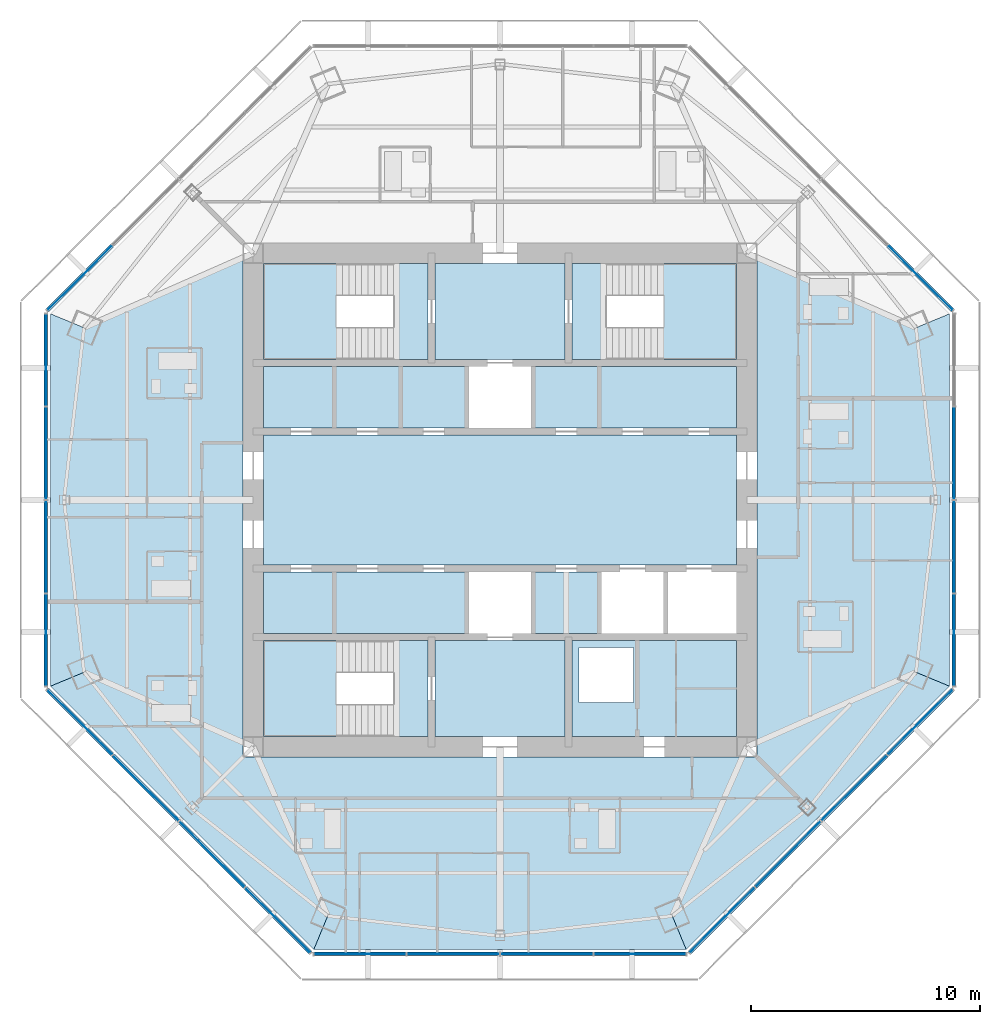
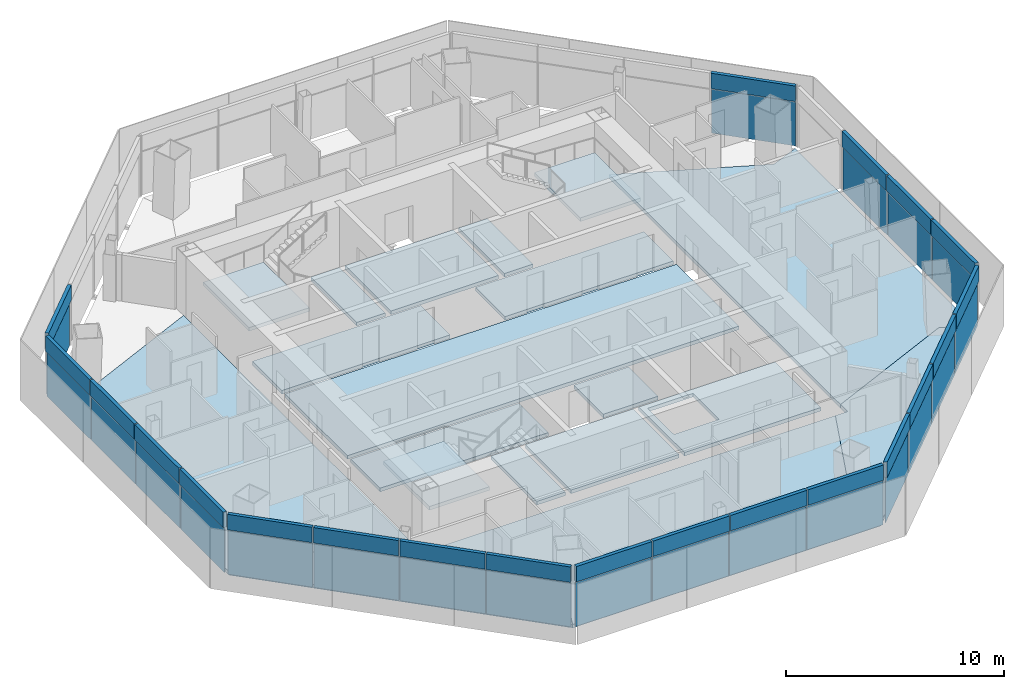
# One storey, part 7 of 14: 42 plates, 19 slabs, 10 elements without a shape of their own.
"""IFC4 building model written with IfcOpenShell, lengths in metres."""

from ifc_helpers import new_model, si_unit, direction, frame, origin, origin_2d, place, context, subcontext, project, spatial, polyline, rectangle, outline, extrude, source, transform, mapped, material, layer, layer_set, type_object, type_shapes, element, aggregate, save


model = new_model("IFC4")

# Units and contexts
model_context = context("Model", 3, precision=1e-05, world=origin(), true_north=direction((0.0, 1.0)))
body_context = subcontext(model_context, "Body", "Model", "MODEL_VIEW")
ifc_project = project(units=[si_unit("LENGTHUNIT", "METRE"), si_unit("AREAUNIT", "SQUARE_METRE"), si_unit("VOLUMEUNIT", "CUBIC_METRE"), si_unit("PLANEANGLEUNIT", "RADIAN"), si_unit("MASSUNIT", "GRAM", prefix="KILO")], contexts=[model_context])

# Site, building, storey
site_placement = place(None, origin())
site = spatial("IfcSite", under=ifc_project, at=site_placement, CompositionType="ELEMENT")
building_placement = place(site_placement, origin())
building = spatial("IfcBuilding", under=site, at=building_placement, Name="Mashrafa Tower", CompositionType="ELEMENT")
storey_placement = place(building_placement, frame((0.0, 0.0, 287.800048828125)))
storey = spatial("IfcBuildingStorey", under=building, at=storey_placement, Name="L70", CompositionType="ELEMENT", Elevation=287.800048828125)

# Slabs
ifc_material_1 = material(Name="Concrete C35/45", Category="concrete")
ifc_layer_1 = layer(ifc_material_1, 0.199951171875)
ifc_layer_set_1 = layer_set([ifc_layer_1], Name="Floor slab 200")
slab_type_1 = type_object("IfcSlabType", Name="Floor slab 200", PredefinedType="FLOOR", material=ifc_layer_set_1)
slab_1_placement = place(storey_placement, frame((0.0, 0.0, -0.199951171875)))
element("IfcSlab", 1, at=slab_1_placement, inside=storey, type_object=slab_type_1, Name="Floor slab L70 east bay", PredefinedType="FLOOR", context=body_context, shape_type="SweptSolid", body=[
    extrude(outline(polyline([(19.67333984375, 8.14892578125), (19.67333984375, -8.14892578125), (19.67333984375, -8.14892578125), (18.20068359375, -7.5390625), (11.25, -10.601806640625), (11.25, 10.601806640625), (18.20068359375, 7.5390625), (19.67333984375, 8.14892578125), (19.67333984375, 8.14892578125)])), origin(), (0.0, 0.0, 1.0), 0.199951171875),
])
slab_2_placement = place(storey_placement, frame((0.0, 0.0, -0.199951171875)))
element("IfcSlab", 2, at=slab_2_placement, inside=storey, type_object=slab_type_1, Name="Floor slab L70 west bay", PredefinedType="FLOOR", context=body_context, shape_type="SweptSolid", body=[
    extrude(outline(polyline([(-19.67333984375, -8.14892578125), (-19.67333984375, 8.14892578125), (-19.67333984375, 8.14892578125), (-18.20068359375, 7.5390625), (-11.25, 10.601806640625), (-11.25, -10.601806640625), (-18.20068359375, -7.5390625), (-19.67333984375, -8.14892578125), (-19.67333984375, -8.14892578125)])), origin(), (0.0, 0.0, 1.0), 0.199951171875),
])
slab_3_placement = place(storey_placement, frame((0.0, 0.0, -0.199951171875)))
element("IfcSlab", 3, at=slab_3_placement, inside=storey, type_object=slab_type_1, Name="Floor slab L70 south-west bay", PredefinedType="FLOOR", context=body_context, shape_type="SweptSolid", body=[
    extrude(outline(polyline([(-19.67333984375, -8.14892578125), (-18.20068359375, -7.5390625), (-11.25, -10.601806640625), (-11.25, -11.25), (-10.601806640625, -11.25), (-7.5390625, -18.20068359375), (-8.14892578125, -19.67333984375), (-19.67333984375, -8.14892578125)])), origin(), (0.0, 0.0, 1.0), 0.199951171875),
])
slab_4_placement = place(storey_placement, frame((0.0, 0.0, -0.199951171875)))
element("IfcSlab", 4, at=slab_4_placement, inside=storey, type_object=slab_type_1, Name="Floor slab L70 south bay", PredefinedType="FLOOR", context=body_context, shape_type="SweptSolid", body=[
    extrude(outline(polyline([(-8.14892578125, -19.67333984375), (-8.14892578125, -19.67333984375), (-7.5390625, -18.20068359375), (-10.601806640625, -11.25), (10.601806640625, -11.25), (7.5390625, -18.20068359375), (8.14892578125, -19.67333984375), (8.14892578125, -19.67333984375), (-8.14892578125, -19.67333984375)])), origin(), (0.0, 0.0, 1.0), 0.199951171875),
])
slab_5_placement = place(storey_placement, frame((0.0, 0.0, -0.199951171875)))
element("IfcSlab", 5, at=slab_5_placement, inside=storey, type_object=slab_type_1, Name="Floor slab L70 south-east bay", PredefinedType="FLOOR", context=body_context, shape_type="SweptSolid", body=[
    extrude(outline(polyline([(8.14892578125, -19.67333984375), (7.5390625, -18.20068359375), (10.601806640625, -11.25), (11.25, -11.25), (11.25, -10.601806640625), (18.20068359375, -7.5390625), (19.67333984375, -8.14892578125), (8.14892578125, -19.67333984375)])), origin(), (0.0, 0.0, 1.0), 0.199951171875),
])
slab_6_placement = place(storey_placement, frame((0.0, 0.0, -0.199951171875)))
element("IfcSlab", 6, at=slab_6_placement, inside=storey, type_object=slab_type_1, Name="Core floor lift hall L70", PredefinedType="FLOOR", context=body_context, shape_type="SweptSolid", body=[
    extrude(outline(polyline([(-10.35009765625, 2.85009765625), (10.35009765625, 2.85009765625), (10.35009765625, -2.85009765625), (-10.35009765625, -2.85009765625), (-10.35009765625, 2.85009765625)])), origin(), (0.0, 0.0, 1.0), 0.199951171875),
])
slab_7_placement = place(storey_placement, frame((0.0, 0.0, -0.199951171875)))
element("IfcSlab", 7, at=slab_7_placement, inside=storey, type_object=slab_type_1, Name="Core floor riser and electrical band L70", PredefinedType="FLOOR", context=body_context, shape_type="SweptSolid", body=[
    extrude(outline(polyline([(10.35009765625, -6.14990234375), (10.35009765625, -10.35009765625), (3.14990234375, -10.35009765625), (3.14990234375, -6.14990234375), (10.35009765625, -6.14990234375)]), holes=[polyline([(3.449951171875, -8.85009765625), (5.85009765625, -8.85009765625), (5.85009765625, -6.449951171875), (3.449951171875, -6.449951171875), (3.449951171875, -8.85009765625)])]), origin(), (0.0, 0.0, 1.0), 0.199951171875),
])
slab_8_placement = place(storey_placement, frame((0.0, 0.0, -0.199951171875)))
element("IfcSlab", 8, at=slab_8_placement, inside=storey, type_object=slab_type_1, Name="Core floor lift cell L70", PredefinedType="FLOOR", context=body_context, shape_type="SweptSolid", body=[
    extrude(outline(polyline([(10.35009765625, 5.85009765625), (10.35009765625, 3.14990234375), (1.449951171875, 3.14990234375), (1.449951171875, 5.85009765625), (10.35009765625, 5.85009765625)])), origin(), (0.0, 0.0, 1.0), 0.199951171875),
])
slab_9_placement = place(storey_placement, frame((0.0, 0.0, -0.199951171875)))
element("IfcSlab", 9, at=slab_9_placement, inside=storey, type_object=slab_type_1, Name="Core floor lift cell L70", PredefinedType="FLOOR", context=body_context, shape_type="SweptSolid", body=[
    extrude(outline(polyline([(-1.449951171875, 3.14990234375), (-10.35009765625, 3.14990234375), (-10.35009765625, 5.85009765625), (-1.449951171875, 5.85009765625), (-1.449951171875, 3.14990234375)])), origin(), (0.0, 0.0, 1.0), 0.199951171875),
])
slab_10_placement = place(storey_placement, frame((0.0, 0.0, -0.199951171875)))
element("IfcSlab", 10, at=slab_10_placement, inside=storey, type_object=slab_type_1, Name="Core floor lift cell L70", PredefinedType="FLOOR", context=body_context, shape_type="SweptSolid", body=[
    extrude(outline(polyline([(-1.449951171875, -3.14990234375), (-1.449951171875, -5.85009765625), (-10.35009765625, -5.85009765625), (-10.35009765625, -3.14990234375), (-1.449951171875, -3.14990234375)])), origin(), (0.0, 0.0, 1.0), 0.199951171875),
])
slab_11_placement = place(storey_placement, frame((0.0, 0.0, -0.199951171875)))
element("IfcSlab", 11, at=slab_11_placement, inside=storey, type_object=slab_type_1, Name="Core floor fire-fighting lobby south L70", PredefinedType="FLOOR", context=body_context, shape_type="SweptSolid", body=[
    extrude(outline(polyline([(2.85009765625, -6.14990234375), (2.85009765625, -10.35009765625), (-2.85009765625, -10.35009765625), (-2.85009765625, -6.14990234375), (2.85009765625, -6.14990234375)])), origin(), (0.0, 0.0, 1.0), 0.199951171875),
])
slab_12_placement = place(storey_placement, frame((0.0, 0.0, -0.199951171875)))
element("IfcSlab", 12, at=slab_12_placement, inside=storey, type_object=slab_type_1, Name="Core floor fire-fighting lobby north L70", PredefinedType="FLOOR", context=body_context, shape_type="SweptSolid", body=[
    extrude(outline(polyline([(-2.85009765625, 10.35009765625), (2.85009765625, 10.35009765625), (2.85009765625, 6.14990234375), (-2.85009765625, 6.14990234375), (-2.85009765625, 10.35009765625)])), origin(), (0.0, 0.0, 1.0), 0.199951171875),
])
slab_13_placement = place(storey_placement, frame((0.0, 0.0, -0.199951171875)))
element("IfcSlab", 13, at=slab_13_placement, inside=storey, type_object=slab_type_1, Name="Core floor lift cell L70", PredefinedType="FLOOR", context=body_context, shape_type="SweptSolid", body=[
    extrude(outline(polyline([(4.35009765625, -3.14990234375), (4.35009765625, -5.85009765625), (1.449951171875, -5.85009765625), (1.449951171875, -3.14990234375), (4.35009765625, -3.14990234375)])), origin(), (0.0, 0.0, 1.0), 0.199951171875),
])

# Stair, slabs
ifc_material_2 = material(Name="Exit stair 1400")
stair_type = type_object("IfcStairType", Name="Exit stair 1400", PredefinedType="HALF_TURN_STAIR", material=ifc_material_2)
stair_1_placement = place(storey_placement, origin())
stair_1 = element("IfcStair", 14, at=stair_1_placement, inside=storey, type_object=stair_type, Name="Stair S1 L70", PredefinedType="HALF_TURN_STAIR")
ifc_material_3 = material(Name="Concrete C32/40", Category="concrete")
ifc_layer_2 = layer(ifc_material_3, 0.199951171875)
ifc_layer_set_2 = layer_set([ifc_layer_2], Name="Stair landing 200")
slab_type_2 = type_object("IfcSlabType", Name="Stair landing 200", PredefinedType="LANDING", material=ifc_layer_set_2)
slab_14_placement = place(storey_placement, frame((0.0, 0.0, -0.199951171875)))
slab_14 = element("IfcSlab", 15, at=slab_14_placement, type_object=slab_type_2, Name="S1 landing 1", PredefinedType="LANDING", context=body_context, shape_type="SweptSolid", body=[
    extrude(outline(polyline([(-4.659912109375, 6.14990234375), (-3.14990234375, 6.14990234375), (-3.14990234375, 10.35009765625), (-4.659912109375, 10.35009765625), (-4.659912109375, 6.14990234375)])), origin(), (0.0, 0.0, 1.0), 0.199951171875),
])
slab_15_placement = place(storey_placement, frame((0.0, 0.0, 1.5)))
slab_15 = element("IfcSlab", 16, at=slab_15_placement, type_object=slab_type_2, Name="S1 landing 2", PredefinedType="LANDING", context=body_context, shape_type="SweptSolid", body=[
    extrude(outline(polyline([(-10.35009765625, 6.14990234375), (-7.159912109375, 6.14990234375), (-7.159912109375, 10.35009765625), (-10.35009765625, 10.35009765625), (-10.35009765625, 6.14990234375)])), origin(), (0.0, 0.0, 1.0), 0.199951171875),
])
aggregate(stair_1, [slab_14, slab_15])

stair_2_placement = place(storey_placement, origin())
stair_2 = element("IfcStair", 17, at=stair_2_placement, inside=storey, type_object=stair_type, Name="Stair S2 L70", PredefinedType="HALF_TURN_STAIR")
slab_16_placement = place(storey_placement, frame((0.0, 0.0, -0.199951171875)))
slab_16 = element("IfcSlab", 18, at=slab_16_placement, type_object=slab_type_2, Name="S2 landing 1", PredefinedType="LANDING", context=body_context, shape_type="SweptSolid", body=[
    extrude(outline(polyline([(3.14990234375, 6.14990234375), (4.659912109375, 6.14990234375), (4.659912109375, 10.35009765625), (3.14990234375, 10.35009765625), (3.14990234375, 6.14990234375)])), origin(), (0.0, 0.0, 1.0), 0.199951171875),
])
slab_17_placement = place(storey_placement, frame((0.0, 0.0, 1.5)))
slab_17 = element("IfcSlab", 19, at=slab_17_placement, type_object=slab_type_2, Name="S2 landing 2", PredefinedType="LANDING", context=body_context, shape_type="SweptSolid", body=[
    extrude(outline(polyline([(7.159912109375, 6.14990234375), (10.35009765625, 6.14990234375), (10.35009765625, 10.35009765625), (7.159912109375, 10.35009765625), (7.159912109375, 6.14990234375)])), origin(), (0.0, 0.0, 1.0), 0.199951171875),
])
aggregate(stair_2, [slab_16, slab_17])

stair_3_placement = place(storey_placement, origin())
stair_3 = element("IfcStair", 20, at=stair_3_placement, inside=storey, type_object=stair_type, Name="Stair S3 L70", PredefinedType="HALF_TURN_STAIR")
slab_18_placement = place(storey_placement, frame((0.0, 0.0, -0.199951171875)))
slab_18 = element("IfcSlab", 21, at=slab_18_placement, type_object=slab_type_2, Name="S3 landing 1", PredefinedType="LANDING", context=body_context, shape_type="SweptSolid", body=[
    extrude(outline(polyline([(-4.659912109375, -10.35009765625), (-3.14990234375, -10.35009765625), (-3.14990234375, -6.14990234375), (-4.659912109375, -6.14990234375), (-4.659912109375, -10.35009765625)])), origin(), (0.0, 0.0, 1.0), 0.199951171875),
])
slab_19_placement = place(storey_placement, frame((0.0, 0.0, 1.5)))
slab_19 = element("IfcSlab", 22, at=slab_19_placement, type_object=slab_type_2, Name="S3 landing 2", PredefinedType="LANDING", context=body_context, shape_type="SweptSolid", body=[
    extrude(outline(polyline([(-10.35009765625, -10.35009765625), (-7.159912109375, -10.35009765625), (-7.159912109375, -6.14990234375), (-10.35009765625, -6.14990234375), (-10.35009765625, -10.35009765625)])), origin(), (0.0, 0.0, 1.0), 0.199951171875),
])
aggregate(stair_3, [slab_18, slab_19])

# Curtain wall, plate
ifc_material_4 = material(Name="Unitised aluminium curtain wall", Category="aluminium")
curtain_wall_type = type_object("IfcCurtainWallType", Name="Apartment curtain wall, zone 4 CW-D 160 deep", PredefinedType="NOTDEFINED", material=ifc_material_4)
curtain_wall_1_placement = place(storey_placement, origin())
curtain_wall_1 = element("IfcCurtainWall", 23, at=curtain_wall_1_placement, inside=storey, type_object=curtain_wall_type, Name="Apartment curtain wall, zone 4 L70 east", PredefinedType="NOTDEFINED")
ifc_material_5 = material(Name="Insulated double glazing, acoustic", Category="glass")
ifc_layer_3 = layer(ifc_material_5, 0.028076171875)
ifc_layer_set_3 = layer_set([ifc_layer_3], Name="Vision panel CW-D 28")
plate_type_1 = type_object("IfcPlateType", Name="Vision panel CW-D 28", PredefinedType="CURTAIN_PANEL", material=ifc_layer_set_3)
shared_shape_1 = source(origin(), body_context, "Body", "SweptSolid", [
    extrude(rectangle(XDim=4.00439453125, YDim=0.028076171875, at=origin_2d()), origin(), (0.0, 0.0, 1.0), 2.46240234375),
])
plate_1_placement = place(storey_placement, frame((19.873291015625, -6.12646484375, 0.0), z_axis=(0.0, 0.0, 1.0), x_axis=(0.0, 1.0, 0.0)))
plate_1 = element("IfcPlate", 24, at=plate_1_placement, type_object=plate_type_1, Name="CW-D vision panel 1", PredefinedType="CURTAIN_PANEL", context=body_context, shape_type="MappedRepresentation", body=[
    mapped(shared_shape_1, transform((0.0, 0.0, 0.0))),
])

curtain_wall_2_placement = place(storey_placement, origin())
curtain_wall_2 = element("IfcCurtainWall", 25, at=curtain_wall_2_placement, inside=storey, type_object=curtain_wall_type, Name="Apartment curtain wall, zone 4 L70 north-east", PredefinedType="NOTDEFINED")
plate_2_placement = place(storey_placement, frame((18.384521484375, 9.720458984375, 0.0), z_axis=(0.0, 0.0, 1.0), x_axis=(-0.707106781187, 0.707106781187, 0.0)))
plate_2 = element("IfcPlate", 26, at=plate_2_placement, type_object=plate_type_1, Name="CW-D vision panel 1", PredefinedType="CURTAIN_PANEL", context=body_context, shape_type="MappedRepresentation", body=[
    mapped(shared_shape_1, transform((0.0, 0.0, 0.0))),
])

curtain_wall_3_placement = place(storey_placement, origin())
curtain_wall_3 = element("IfcCurtainWall", 27, at=curtain_wall_3_placement, inside=storey, type_object=curtain_wall_type, Name="Apartment curtain wall, zone 4 L70 north-west", PredefinedType="NOTDEFINED")
plate_3_placement = place(storey_placement, frame((-18.384521484375, 9.720458984375, 0.0), z_axis=(0.0, 0.0, 1.0), x_axis=(-0.707106781187, -0.707106781187, 0.0)))
plate_3 = element("IfcPlate", 28, at=plate_3_placement, type_object=plate_type_1, Name="CW-D vision panel 4", PredefinedType="CURTAIN_PANEL", context=body_context, shape_type="MappedRepresentation", body=[
    mapped(shared_shape_1, transform((0.0, 0.0, 0.0))),
])

# Curtain wall, plates
curtain_wall_4_placement = place(storey_placement, origin())
curtain_wall_4 = element("IfcCurtainWall", 29, at=curtain_wall_4_placement, inside=storey, type_object=curtain_wall_type, Name="Apartment curtain wall, zone 4 L70 west", PredefinedType="NOTDEFINED")
plate_4_placement = place(storey_placement, frame((-19.873291015625, 6.12646484375, 0.0), z_axis=(0.0, 0.0, 1.0), x_axis=(0.0, -1.0, 0.0)))
plate_4 = element("IfcPlate", 30, at=plate_4_placement, type_object=plate_type_1, Name="CW-D vision panel 1", PredefinedType="CURTAIN_PANEL", context=body_context, shape_type="MappedRepresentation", body=[
    mapped(shared_shape_1, transform((0.0, 0.0, 0.0))),
])
plate_5_placement = place(storey_placement, frame((-19.873291015625, -6.12646484375, 0.0), z_axis=(0.0, 0.0, 1.0), x_axis=(0.0, -1.0, 0.0)))
plate_5 = element("IfcPlate", 31, at=plate_5_placement, type_object=plate_type_1, Name="CW-D vision panel 4", PredefinedType="CURTAIN_PANEL", context=body_context, shape_type="MappedRepresentation", body=[
    mapped(shared_shape_1, transform((0.0, 0.0, 0.0))),
])

curtain_wall_5_placement = place(storey_placement, origin())
curtain_wall_5 = element("IfcCurtainWall", 32, at=curtain_wall_5_placement, inside=storey, type_object=curtain_wall_type, Name="Apartment curtain wall, zone 4 L70 south-west", PredefinedType="NOTDEFINED")
plate_6_placement = place(storey_placement, frame((-18.384521484375, -9.720458984375, 0.0), z_axis=(0.0, 0.0, 1.0), x_axis=(0.707106781187, -0.707106781187, 0.0)))
plate_6 = element("IfcPlate", 33, at=plate_6_placement, type_object=plate_type_1, Name="CW-D vision panel 1", PredefinedType="CURTAIN_PANEL", context=body_context, shape_type="MappedRepresentation", body=[
    mapped(shared_shape_1, transform((0.0, 0.0, 0.0))),
])
plate_7_placement = place(storey_placement, frame((-9.720458984375, -18.384521484375, 0.0), z_axis=(0.0, 0.0, 1.0), x_axis=(0.707106781187, -0.707106781187, 0.0)))
plate_7 = element("IfcPlate", 34, at=plate_7_placement, type_object=plate_type_1, Name="CW-D vision panel 4", PredefinedType="CURTAIN_PANEL", context=body_context, shape_type="MappedRepresentation", body=[
    mapped(shared_shape_1, transform((0.0, 0.0, 0.0))),
])

curtain_wall_6_placement = place(storey_placement, origin())
curtain_wall_6 = element("IfcCurtainWall", 35, at=curtain_wall_6_placement, inside=storey, type_object=curtain_wall_type, Name="Apartment curtain wall, zone 4 L70 south", PredefinedType="NOTDEFINED")
plate_8_placement = place(storey_placement, frame((-6.12646484375, -19.873291015625, 0.0), z_axis=(0.0, 0.0, 1.0), x_axis=(1.0, 0.0, 0.0)))
plate_8 = element("IfcPlate", 36, at=plate_8_placement, type_object=plate_type_1, Name="CW-D vision panel 1", PredefinedType="CURTAIN_PANEL", context=body_context, shape_type="MappedRepresentation", body=[
    mapped(shared_shape_1, transform((0.0, 0.0, 0.0))),
])
plate_9_placement = place(storey_placement, frame((6.12646484375, -19.873291015625, 0.0), z_axis=(0.0, 0.0, 1.0), x_axis=(1.0, 0.0, 0.0)))
plate_9 = element("IfcPlate", 37, at=plate_9_placement, type_object=plate_type_1, Name="CW-D vision panel 4", PredefinedType="CURTAIN_PANEL", context=body_context, shape_type="MappedRepresentation", body=[
    mapped(shared_shape_1, transform((0.0, 0.0, 0.0))),
])

curtain_wall_7_placement = place(storey_placement, origin())
curtain_wall_7 = element("IfcCurtainWall", 38, at=curtain_wall_7_placement, inside=storey, type_object=curtain_wall_type, Name="Apartment curtain wall, zone 4 L70 south-east", PredefinedType="NOTDEFINED")
plate_10_placement = place(storey_placement, frame((9.720458984375, -18.384521484375, 0.0), z_axis=(0.0, 0.0, 1.0), x_axis=(0.707106781187, 0.707106781187, 0.0)))
plate_10 = element("IfcPlate", 39, at=plate_10_placement, type_object=plate_type_1, Name="CW-D vision panel 1", PredefinedType="CURTAIN_PANEL", context=body_context, shape_type="MappedRepresentation", body=[
    mapped(shared_shape_1, transform((0.0, 0.0, 0.0))),
])
plate_11_placement = place(storey_placement, frame((18.384521484375, -9.720458984375, 0.0), z_axis=(0.0, 0.0, 1.0), x_axis=(0.707106781187, 0.707106781187, 0.0)))
plate_11 = element("IfcPlate", 40, at=plate_11_placement, type_object=plate_type_1, Name="CW-D vision panel 4", PredefinedType="CURTAIN_PANEL", context=body_context, shape_type="MappedRepresentation", body=[
    mapped(shared_shape_1, transform((0.0, 0.0, 0.0))),
])

# Plate
ifc_material_6 = material(Name="Insulated bronze aluminium spandrel panel", Category="aluminium")
ifc_layer_4 = layer(ifc_material_6, 0.179931640625)
ifc_layer_set_4 = layer_set([ifc_layer_4], Name="Spandrel panel CW-D 180")
plate_type_2 = type_object("IfcPlateType", Name="Spandrel panel CW-D 180", PredefinedType="CURTAIN_PANEL", material=ifc_layer_set_4)
shared_shape_2 = source(origin(), body_context, "Body", "SweptSolid", [
    extrude(rectangle(XDim=4.00439453125, YDim=0.179931640625, at=origin_2d()), origin(), (0.0, 0.0, 1.0), 0.862548828125),
])
plate_12_placement = place(storey_placement, frame((19.873291015625, -6.12646484375, 2.53759765625), z_axis=(0.0, 0.0, 1.0), x_axis=(0.0, 1.0, 0.0)))
plate_12 = element("IfcPlate", 41, at=plate_12_placement, type_object=plate_type_2, Name="CW-D spandrel panel 1", PredefinedType="CURTAIN_PANEL", context=body_context, shape_type="MappedRepresentation", body=[
    mapped(shared_shape_2, transform((0.0, 0.0, 0.0))),
])

plate_13_placement = place(storey_placement, frame((18.384521484375, 9.720458984375, 2.53759765625), z_axis=(0.0, 0.0, 1.0), x_axis=(-0.707106781187, 0.707106781187, 0.0)))
plate_13 = element("IfcPlate", 42, at=plate_13_placement, type_object=plate_type_2, Name="CW-D spandrel panel 1", PredefinedType="CURTAIN_PANEL", context=body_context, shape_type="MappedRepresentation", body=[
    mapped(shared_shape_2, transform((0.0, 0.0, 0.0))),
])

aggregate(curtain_wall_2, [plate_2, plate_13])

plate_14_placement = place(storey_placement, frame((-18.384521484375, 9.720458984375, 2.53759765625), z_axis=(0.0, 0.0, 1.0), x_axis=(-0.707106781187, -0.707106781187, 0.0)))
plate_14 = element("IfcPlate", 43, at=plate_14_placement, type_object=plate_type_2, Name="CW-D spandrel panel 4", PredefinedType="CURTAIN_PANEL", context=body_context, shape_type="MappedRepresentation", body=[
    mapped(shared_shape_2, transform((0.0, 0.0, 0.0))),
])

aggregate(curtain_wall_3, [plate_3, plate_14])

plate_15_placement = place(storey_placement, frame((-19.873291015625, 6.12646484375, 2.53759765625), z_axis=(0.0, 0.0, 1.0), x_axis=(0.0, -1.0, 0.0)))
plate_15 = element("IfcPlate", 44, at=plate_15_placement, type_object=plate_type_2, Name="CW-D spandrel panel 1", PredefinedType="CURTAIN_PANEL", context=body_context, shape_type="MappedRepresentation", body=[
    mapped(shared_shape_2, transform((0.0, 0.0, 0.0))),
])

plate_16_placement = place(storey_placement, frame((-19.873291015625, -6.12646484375, 2.53759765625), z_axis=(0.0, 0.0, 1.0), x_axis=(0.0, -1.0, 0.0)))
plate_16 = element("IfcPlate", 45, at=plate_16_placement, type_object=plate_type_2, Name="CW-D spandrel panel 4", PredefinedType="CURTAIN_PANEL", context=body_context, shape_type="MappedRepresentation", body=[
    mapped(shared_shape_2, transform((0.0, 0.0, 0.0))),
])

plate_17_placement = place(storey_placement, frame((-18.384521484375, -9.720458984375, 2.53759765625), z_axis=(0.0, 0.0, 1.0), x_axis=(0.707106781187, -0.707106781187, 0.0)))
plate_17 = element("IfcPlate", 46, at=plate_17_placement, type_object=plate_type_2, Name="CW-D spandrel panel 1", PredefinedType="CURTAIN_PANEL", context=body_context, shape_type="MappedRepresentation", body=[
    mapped(shared_shape_2, transform((0.0, 0.0, 0.0))),
])

plate_18_placement = place(storey_placement, frame((-9.720458984375, -18.384521484375, 2.53759765625), z_axis=(0.0, 0.0, 1.0), x_axis=(0.707106781187, -0.707106781187, 0.0)))
plate_18 = element("IfcPlate", 47, at=plate_18_placement, type_object=plate_type_2, Name="CW-D spandrel panel 4", PredefinedType="CURTAIN_PANEL", context=body_context, shape_type="MappedRepresentation", body=[
    mapped(shared_shape_2, transform((0.0, 0.0, 0.0))),
])

plate_19_placement = place(storey_placement, frame((-6.12646484375, -19.873291015625, 2.53759765625), z_axis=(0.0, 0.0, 1.0), x_axis=(1.0, 0.0, 0.0)))
plate_19 = element("IfcPlate", 48, at=plate_19_placement, type_object=plate_type_2, Name="CW-D spandrel panel 1", PredefinedType="CURTAIN_PANEL", context=body_context, shape_type="MappedRepresentation", body=[
    mapped(shared_shape_2, transform((0.0, 0.0, 0.0))),
])

plate_20_placement = place(storey_placement, frame((6.12646484375, -19.873291015625, 2.53759765625), z_axis=(0.0, 0.0, 1.0), x_axis=(1.0, 0.0, 0.0)))
plate_20 = element("IfcPlate", 49, at=plate_20_placement, type_object=plate_type_2, Name="CW-D spandrel panel 4", PredefinedType="CURTAIN_PANEL", context=body_context, shape_type="MappedRepresentation", body=[
    mapped(shared_shape_2, transform((0.0, 0.0, 0.0))),
])

plate_21_placement = place(storey_placement, frame((9.720458984375, -18.384521484375, 2.53759765625), z_axis=(0.0, 0.0, 1.0), x_axis=(0.707106781187, 0.707106781187, 0.0)))
plate_21 = element("IfcPlate", 50, at=plate_21_placement, type_object=plate_type_2, Name="CW-D spandrel panel 1", PredefinedType="CURTAIN_PANEL", context=body_context, shape_type="MappedRepresentation", body=[
    mapped(shared_shape_2, transform((0.0, 0.0, 0.0))),
])

plate_22_placement = place(storey_placement, frame((18.384521484375, -9.720458984375, 2.53759765625), z_axis=(0.0, 0.0, 1.0), x_axis=(0.707106781187, 0.707106781187, 0.0)))
plate_22 = element("IfcPlate", 51, at=plate_22_placement, type_object=plate_type_2, Name="CW-D spandrel panel 4", PredefinedType="CURTAIN_PANEL", context=body_context, shape_type="MappedRepresentation", body=[
    mapped(shared_shape_2, transform((0.0, 0.0, 0.0))),
])

shared_shape_3 = source(origin(), body_context, "Body", "SweptSolid", [
    extrude(rectangle(XDim=4.034423828125, YDim=0.028076171875, at=origin_2d()), origin(), (0.0, 0.0, 1.0), 2.46240234375),
])
type_shapes(plate_type_1, [shared_shape_1, shared_shape_3])
plate_23_placement = place(storey_placement, frame((19.873291015625, -2.047119140625, 0.0), z_axis=(0.0, 0.0, 1.0), x_axis=(0.0, 1.0, 0.0)))
plate_23 = element("IfcPlate", 52, at=plate_23_placement, type_object=plate_type_1, Name="CW-D vision panel 2", PredefinedType="CURTAIN_PANEL", context=body_context, shape_type="MappedRepresentation", body=[
    mapped(shared_shape_3, transform((0.0, 0.0, 0.0))),
])

plate_24_placement = place(storey_placement, frame((19.873291015625, 2.047119140625, 0.0), z_axis=(0.0, 0.0, 1.0), x_axis=(0.0, 1.0, 0.0)))
plate_24 = element("IfcPlate", 53, at=plate_24_placement, type_object=plate_type_1, Name="CW-D vision panel 3", PredefinedType="CURTAIN_PANEL", context=body_context, shape_type="MappedRepresentation", body=[
    mapped(shared_shape_3, transform((0.0, 0.0, 0.0))),
])

plate_25_placement = place(storey_placement, frame((-19.873291015625, 2.047119140625, 0.0), z_axis=(0.0, 0.0, 1.0), x_axis=(0.0, -1.0, 0.0)))
plate_25 = element("IfcPlate", 54, at=plate_25_placement, type_object=plate_type_1, Name="CW-D vision panel 2", PredefinedType="CURTAIN_PANEL", context=body_context, shape_type="MappedRepresentation", body=[
    mapped(shared_shape_3, transform((0.0, 0.0, 0.0))),
])

plate_26_placement = place(storey_placement, frame((-19.873291015625, -2.047119140625, 0.0), z_axis=(0.0, 0.0, 1.0), x_axis=(0.0, -1.0, 0.0)))
plate_26 = element("IfcPlate", 55, at=plate_26_placement, type_object=plate_type_1, Name="CW-D vision panel 3", PredefinedType="CURTAIN_PANEL", context=body_context, shape_type="MappedRepresentation", body=[
    mapped(shared_shape_3, transform((0.0, 0.0, 0.0))),
])

plate_27_placement = place(storey_placement, frame((-15.5, -12.60498046875, 0.0), z_axis=(0.0, 0.0, 1.0), x_axis=(0.707106781187, -0.707106781187, 0.0)))
plate_27 = element("IfcPlate", 56, at=plate_27_placement, type_object=plate_type_1, Name="CW-D vision panel 2", PredefinedType="CURTAIN_PANEL", context=body_context, shape_type="MappedRepresentation", body=[
    mapped(shared_shape_3, transform((0.0, 0.0, 0.0))),
])

plate_28_placement = place(storey_placement, frame((-12.60498046875, -15.5, 0.0), z_axis=(0.0, 0.0, 1.0), x_axis=(0.707106781187, -0.707106781187, 0.0)))
plate_28 = element("IfcPlate", 57, at=plate_28_placement, type_object=plate_type_1, Name="CW-D vision panel 3", PredefinedType="CURTAIN_PANEL", context=body_context, shape_type="MappedRepresentation", body=[
    mapped(shared_shape_3, transform((0.0, 0.0, 0.0))),
])

plate_29_placement = place(storey_placement, frame((-2.047119140625, -19.873291015625, 0.0), z_axis=(0.0, 0.0, 1.0), x_axis=(1.0, 0.0, 0.0)))
plate_29 = element("IfcPlate", 58, at=plate_29_placement, type_object=plate_type_1, Name="CW-D vision panel 2", PredefinedType="CURTAIN_PANEL", context=body_context, shape_type="MappedRepresentation", body=[
    mapped(shared_shape_3, transform((0.0, 0.0, 0.0))),
])

plate_30_placement = place(storey_placement, frame((2.047119140625, -19.873291015625, 0.0), z_axis=(0.0, 0.0, 1.0), x_axis=(1.0, 0.0, 0.0)))
plate_30 = element("IfcPlate", 59, at=plate_30_placement, type_object=plate_type_1, Name="CW-D vision panel 3", PredefinedType="CURTAIN_PANEL", context=body_context, shape_type="MappedRepresentation", body=[
    mapped(shared_shape_3, transform((0.0, 0.0, 0.0))),
])

plate_31_placement = place(storey_placement, frame((12.60498046875, -15.5, 0.0), z_axis=(0.0, 0.0, 1.0), x_axis=(0.707106781187, 0.707106781187, 0.0)))
plate_31 = element("IfcPlate", 60, at=plate_31_placement, type_object=plate_type_1, Name="CW-D vision panel 2", PredefinedType="CURTAIN_PANEL", context=body_context, shape_type="MappedRepresentation", body=[
    mapped(shared_shape_3, transform((0.0, 0.0, 0.0))),
])

plate_32_placement = place(storey_placement, frame((15.5, -12.60498046875, 0.0), z_axis=(0.0, 0.0, 1.0), x_axis=(0.707106781187, 0.707106781187, 0.0)))
plate_32 = element("IfcPlate", 61, at=plate_32_placement, type_object=plate_type_1, Name="CW-D vision panel 3", PredefinedType="CURTAIN_PANEL", context=body_context, shape_type="MappedRepresentation", body=[
    mapped(shared_shape_3, transform((0.0, 0.0, 0.0))),
])

shared_shape_4 = source(origin(), body_context, "Body", "SweptSolid", [
    extrude(rectangle(XDim=4.034423828125, YDim=0.179931640625, at=origin_2d()), origin(), (0.0, 0.0, 1.0), 0.862548828125),
])
type_shapes(plate_type_2, [shared_shape_2, shared_shape_4])
plate_33_placement = place(storey_placement, frame((19.873291015625, -2.047119140625, 2.53759765625), z_axis=(0.0, 0.0, 1.0), x_axis=(0.0, 1.0, 0.0)))
plate_33 = element("IfcPlate", 62, at=plate_33_placement, type_object=plate_type_2, Name="CW-D spandrel panel 2", PredefinedType="CURTAIN_PANEL", context=body_context, shape_type="MappedRepresentation", body=[
    mapped(shared_shape_4, transform((0.0, 0.0, 0.0))),
])

plate_34_placement = place(storey_placement, frame((19.873291015625, 2.047119140625, 2.53759765625), z_axis=(0.0, 0.0, 1.0), x_axis=(0.0, 1.0, 0.0)))
plate_34 = element("IfcPlate", 63, at=plate_34_placement, type_object=plate_type_2, Name="CW-D spandrel panel 3", PredefinedType="CURTAIN_PANEL", context=body_context, shape_type="MappedRepresentation", body=[
    mapped(shared_shape_4, transform((0.0, 0.0, 0.0))),
])

aggregate(curtain_wall_1, [plate_1, plate_12, plate_23, plate_33, plate_24, plate_34])

plate_35_placement = place(storey_placement, frame((-19.873291015625, 2.047119140625, 2.53759765625), z_axis=(0.0, 0.0, 1.0), x_axis=(0.0, -1.0, 0.0)))
plate_35 = element("IfcPlate", 64, at=plate_35_placement, type_object=plate_type_2, Name="CW-D spandrel panel 2", PredefinedType="CURTAIN_PANEL", context=body_context, shape_type="MappedRepresentation", body=[
    mapped(shared_shape_4, transform((0.0, 0.0, 0.0))),
])

plate_36_placement = place(storey_placement, frame((-19.873291015625, -2.047119140625, 2.53759765625), z_axis=(0.0, 0.0, 1.0), x_axis=(0.0, -1.0, 0.0)))
plate_36 = element("IfcPlate", 65, at=plate_36_placement, type_object=plate_type_2, Name="CW-D spandrel panel 3", PredefinedType="CURTAIN_PANEL", context=body_context, shape_type="MappedRepresentation", body=[
    mapped(shared_shape_4, transform((0.0, 0.0, 0.0))),
])

aggregate(curtain_wall_4, [plate_4, plate_15, plate_25, plate_35, plate_26, plate_36, plate_5, plate_16])

plate_37_placement = place(storey_placement, frame((-15.5, -12.60498046875, 2.53759765625), z_axis=(0.0, 0.0, 1.0), x_axis=(0.707106781187, -0.707106781187, 0.0)))
plate_37 = element("IfcPlate", 66, at=plate_37_placement, type_object=plate_type_2, Name="CW-D spandrel panel 2", PredefinedType="CURTAIN_PANEL", context=body_context, shape_type="MappedRepresentation", body=[
    mapped(shared_shape_4, transform((0.0, 0.0, 0.0))),
])

plate_38_placement = place(storey_placement, frame((-12.60498046875, -15.5, 2.53759765625), z_axis=(0.0, 0.0, 1.0), x_axis=(0.707106781187, -0.707106781187, 0.0)))
plate_38 = element("IfcPlate", 67, at=plate_38_placement, type_object=plate_type_2, Name="CW-D spandrel panel 3", PredefinedType="CURTAIN_PANEL", context=body_context, shape_type="MappedRepresentation", body=[
    mapped(shared_shape_4, transform((0.0, 0.0, 0.0))),
])

aggregate(curtain_wall_5, [plate_6, plate_17, plate_27, plate_37, plate_28, plate_38, plate_7, plate_18])

plate_39_placement = place(storey_placement, frame((-2.047119140625, -19.873291015625, 2.53759765625), z_axis=(0.0, 0.0, 1.0), x_axis=(1.0, 0.0, 0.0)))
plate_39 = element("IfcPlate", 68, at=plate_39_placement, type_object=plate_type_2, Name="CW-D spandrel panel 2", PredefinedType="CURTAIN_PANEL", context=body_context, shape_type="MappedRepresentation", body=[
    mapped(shared_shape_4, transform((0.0, 0.0, 0.0))),
])

plate_40_placement = place(storey_placement, frame((2.047119140625, -19.873291015625, 2.53759765625), z_axis=(0.0, 0.0, 1.0), x_axis=(1.0, 0.0, 0.0)))
plate_40 = element("IfcPlate", 69, at=plate_40_placement, type_object=plate_type_2, Name="CW-D spandrel panel 3", PredefinedType="CURTAIN_PANEL", context=body_context, shape_type="MappedRepresentation", body=[
    mapped(shared_shape_4, transform((0.0, 0.0, 0.0))),
])

aggregate(curtain_wall_6, [plate_8, plate_19, plate_29, plate_39, plate_30, plate_40, plate_9, plate_20])

plate_41_placement = place(storey_placement, frame((12.60498046875, -15.5, 2.53759765625), z_axis=(0.0, 0.0, 1.0), x_axis=(0.707106781187, 0.707106781187, 0.0)))
plate_41 = element("IfcPlate", 70, at=plate_41_placement, type_object=plate_type_2, Name="CW-D spandrel panel 2", PredefinedType="CURTAIN_PANEL", context=body_context, shape_type="MappedRepresentation", body=[
    mapped(shared_shape_4, transform((0.0, 0.0, 0.0))),
])

plate_42_placement = place(storey_placement, frame((15.5, -12.60498046875, 2.53759765625), z_axis=(0.0, 0.0, 1.0), x_axis=(0.707106781187, 0.707106781187, 0.0)))
plate_42 = element("IfcPlate", 71, at=plate_42_placement, type_object=plate_type_2, Name="CW-D spandrel panel 3", PredefinedType="CURTAIN_PANEL", context=body_context, shape_type="MappedRepresentation", body=[
    mapped(shared_shape_4, transform((0.0, 0.0, 0.0))),
])

aggregate(curtain_wall_7, [plate_10, plate_21, plate_31, plate_41, plate_32, plate_42, plate_11, plate_22])

save(model, "model.ifc")
